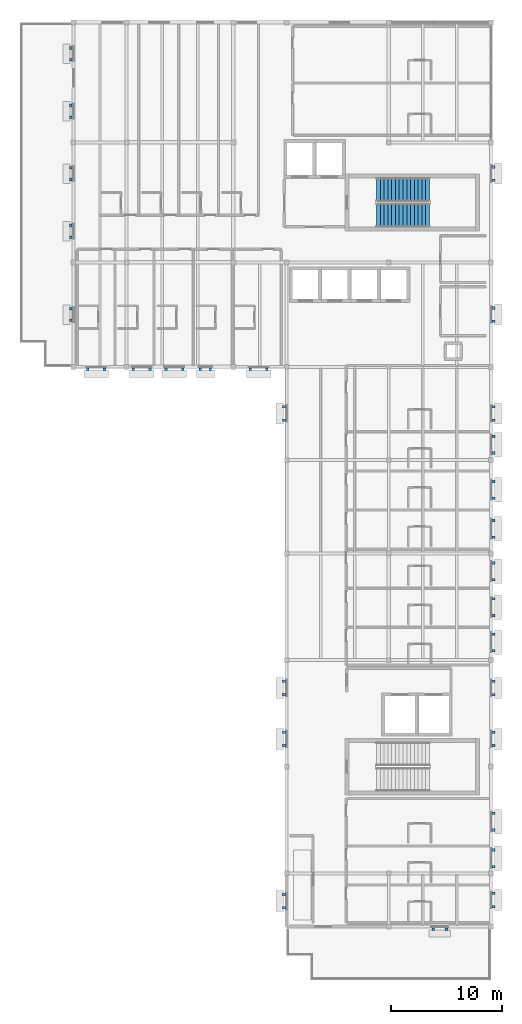
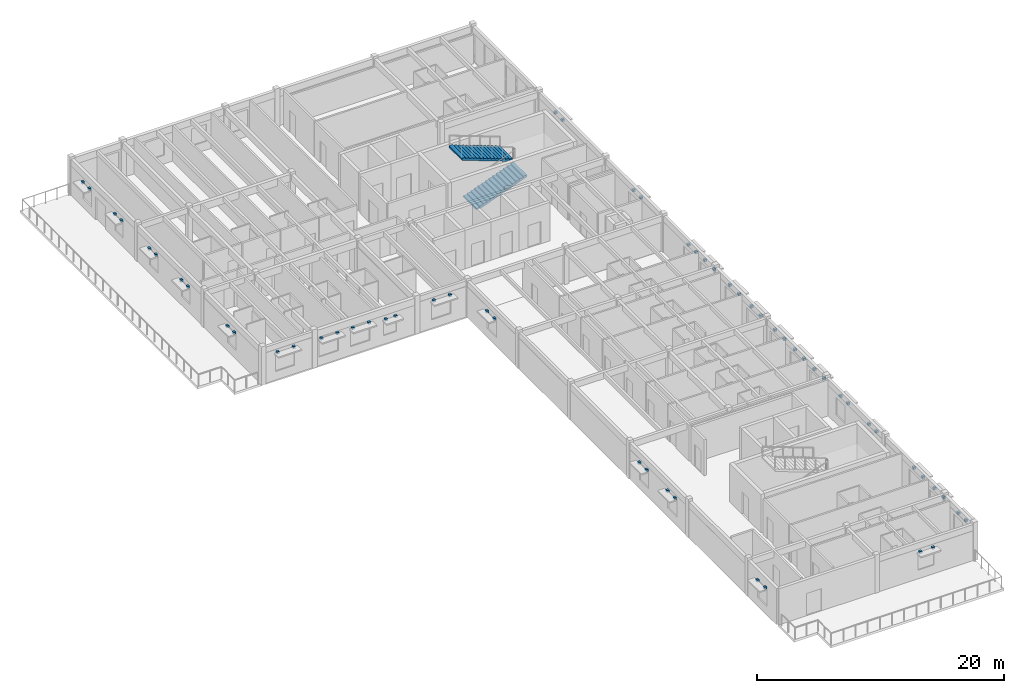
# One storey, part 11 of 15: 58 discrete accessories, 2 stair flights, 1 element without a shape of its own.
"""IFC4 building model written with IfcOpenShell, lengths in metres."""

from ifc_helpers import new_model, si_unit, direction, frame, origin, origin_2d, place, context, subcontext, project, spatial, polyline, rectangle, outline, extrude, material, type_object, element, aggregate, save


model = new_model("IFC4")

# Units and contexts
model_context = context("Model", 3, precision=1e-05, world=origin(), true_north=direction((0.0, 1.0)))
body_context = subcontext(model_context, "Body", "Model", "MODEL_VIEW")
ifc_project = project(units=[si_unit("LENGTHUNIT", "METRE"), si_unit("AREAUNIT", "SQUARE_METRE"), si_unit("VOLUMEUNIT", "CUBIC_METRE"), si_unit("PLANEANGLEUNIT", "RADIAN"), si_unit("MASSUNIT", "GRAM", prefix="KILO")], contexts=[model_context])

# Site, building, storey
site_placement = place(None, origin())
site = spatial("IfcSite", under=ifc_project, at=site_placement, CompositionType="ELEMENT")
building_placement = place(site_placement, origin())
building = spatial("IfcBuilding", under=site, at=building_placement, Name="Veldera Park Congress Hotel", CompositionType="ELEMENT")
storey_placement = place(building_placement, frame((0.0, 0.0, 39.0)))
storey = spatial("IfcBuildingStorey", under=building, at=storey_placement, Name="L09", CompositionType="ELEMENT", Elevation=39.0)

# Stair, stair flights
ifc_material_1 = material(Name="Concrete f'c 40 MPa (5,800 psi)", Category="concrete")
stair_type = type_object("IfcStairType", Name="ST1", PredefinedType="HALF_TURN_STAIR", material=ifc_material_1)
stair_placement = place(storey_placement, origin())
stair = element("IfcStair", 1, at=stair_placement, inside=storey, type_object=stair_type, Name="L09 Protected Exit Stair ST1", PredefinedType="HALF_TURN_STAIR")
stair_flight_type = type_object("IfcStairFlightType", Name="SFL-ST1", PredefinedType="STRAIGHT", material=ifc_material_1)
stair_flight_1_placement = place(storey_placement, frame((73.699951171875, 40.64990234375, 0.0), z_axis=(0.0, 0.0, 1.0), x_axis=(1.0, 0.0, 0.0)))
stair_flight_1 = element("IfcStairFlight", 2, at=stair_flight_1_placement, type_object=stair_flight_type, Name="ST1 flight 1", NumberOfRisers=15, NumberOfTreads=14, PredefinedType="STRAIGHT", RiserHeight=0.126666667, TreadLength=0.34, context=body_context, shape_type="SweptSolid", body=[
    extrude(outline(polyline([(0.0, 0.0), (0.0, 0.126708984375), (0.340087890625, 0.126708984375), (0.340087890625, 0.25341796875), (0.679931640625, 0.25341796875), (0.679931640625, 0.3798828125), (1.02001953125, 0.3798828125), (1.02001953125, 0.506591796875), (1.360107421875, 0.506591796875), (1.360107421875, 0.63330078125), (1.699951171875, 0.63330078125), (1.699951171875, 0.760009765625), (2.0400390625, 0.760009765625), (2.0400390625, 0.88671875), (2.3798828125, 0.88671875), (2.3798828125, 1.013427734375), (2.719970703125, 1.013427734375), (2.719970703125, 1.139892578125), (3.06005859375, 1.139892578125), (3.06005859375, 1.2666015625), (3.39990234375, 1.2666015625), (3.39990234375, 1.393310546875), (3.739990234375, 1.393310546875), (3.739990234375, 1.52001953125), (4.080078125, 1.52001953125), (4.080078125, 1.646728515625), (4.419921875, 1.646728515625), (4.419921875, 1.7734375), (4.760009765625, 1.7734375), (4.760009765625, 1.89990234375), (4.760009765625, 1.89990234375), (4.760009765625, 1.581298828125), (0.515380859375, 0.0), (0.0, 0.0)])), frame((0.0, 1.050048828125, 0.0), z_axis=(0.0, -1.0, 0.0), x_axis=(1.0, 0.0, 0.0)), (0.0, 0.0, 1.0), 2.10009765625),
])
stair_flight_2_placement = place(storey_placement, frame((78.4599609375, 42.949951171875, 1.89990234375), z_axis=(0.0, 0.0, 1.0), x_axis=(-1.0, 0.0, 0.0)))
stair_flight_2 = element("IfcStairFlight", 3, at=stair_flight_2_placement, type_object=stair_flight_type, Name="ST1 flight 2", NumberOfRisers=15, NumberOfTreads=14, PredefinedType="STRAIGHT", RiserHeight=0.126666667, TreadLength=0.34, context=body_context, shape_type="SweptSolid", body=[
    extrude(outline(polyline([(0.0, 0.0), (0.0, 0.126708984375), (0.340087890625, 0.126708984375), (0.340087890625, 0.25341796875), (0.679931640625, 0.25341796875), (0.679931640625, 0.3798828125), (1.02001953125, 0.3798828125), (1.02001953125, 0.506591796875), (1.360107421875, 0.506591796875), (1.360107421875, 0.63330078125), (1.699951171875, 0.63330078125), (1.699951171875, 0.760009765625), (2.0400390625, 0.760009765625), (2.0400390625, 0.88671875), (2.3798828125, 0.88671875), (2.3798828125, 1.013427734375), (2.719970703125, 1.013427734375), (2.719970703125, 1.139892578125), (3.06005859375, 1.139892578125), (3.06005859375, 1.2666015625), (3.39990234375, 1.2666015625), (3.39990234375, 1.393310546875), (3.739990234375, 1.393310546875), (3.739990234375, 1.52001953125), (4.080078125, 1.52001953125), (4.080078125, 1.646728515625), (4.419921875, 1.646728515625), (4.419921875, 1.7734375), (4.760009765625, 1.7734375), (4.760009765625, 1.89990234375), (4.760009765625, 1.89990234375), (4.760009765625, 1.581298828125), (0.515380859375, 0.0), (0.0, 0.0)])), frame((0.0, 1.050048828125, 0.0), z_axis=(0.0, -1.0, 0.0), x_axis=(1.0, 0.0, 0.0)), (0.0, 0.0, 1.0), 2.10009765625),
])
aggregate(stair, [stair_flight_1, stair_flight_2])

# Discrete accessories
ifc_material_2 = material(Name="Steel ASTM A992 Gr.50", Category="steel")
discrete_accessory_type = type_object("IfcDiscreteAccessoryType", Name="ACC-BRK160", PredefinedType="BRACKET", material=ifc_material_2)
for number, where, z_axis, x_axis, name in (
    (4, (78.79248046875, -23.6298828125, 2.56982421875), (0.0, 0.0, 1.0), (1.0, 0.0, 0.0), "Shading Steel Outrigger Bracket 231L"),
    (5, (79.992431640625, -23.6298828125, 2.56982421875), (0.0, 0.0, 1.0), (1.0, 0.0, 0.0), "Shading Steel Outrigger Bracket 231R"),
    (6, (84.22998046875, -21.60009765625, 2.56982421875), (0.0, 0.0, 1.0), (0.0, 1.0, 0.0), "Shading Steel Outrigger Bracket 232L"),
    (7, (84.22998046875, -20.39990234375, 2.56982421875), (0.0, 0.0, 1.0), (0.0, 1.0, 0.0), "Shading Steel Outrigger Bracket 232R"),
    (8, (84.22998046875, -7.08837890625, 2.56982421875), (0.0, 0.0, 1.0), (0.0, 1.0, 0.0), "Shading Steel Outrigger Bracket 233L"),
    (9, (84.22998046875, -5.888427734375, 2.56982421875), (0.0, 0.0, 1.0), (0.0, 1.0, 0.0), "Shading Steel Outrigger Bracket 233R"),
    (10, (84.22998046875, -2.511474609375, 2.56982421875), (0.0, 0.0, 1.0), (0.0, 1.0, 0.0), "Shading Steel Outrigger Bracket 234L"),
    (11, (84.22998046875, -1.3115234375, 2.56982421875), (0.0, 0.0, 1.0), (0.0, 1.0, 0.0), "Shading Steel Outrigger Bracket 234R"),
    (12, (84.22998046875, 22.199951171875, 2.56982421875), (0.0, 0.0, 1.0), (0.0, 1.0, 0.0), "Shading Steel Outrigger Bracket 235L"),
    (13, (84.22998046875, 23.39990234375, 2.56982421875), (0.0, 0.0, 1.0), (0.0, 1.0, 0.0), "Shading Steel Outrigger Bracket 235R"),
    (14, (84.22998046875, 31.10009765625, 2.56982421875), (0.0, 0.0, 1.0), (0.0, 1.0, 0.0), "Shading Steel Outrigger Bracket 236L"),
    (15, (84.22998046875, 32.300048828125, 2.56982421875), (0.0, 0.0, 1.0), (0.0, 1.0, 0.0), "Shading Steel Outrigger Bracket 236R"),
    (16, (84.22998046875, 43.78857421875, 2.56982421875), (0.0, 0.0, 1.0), (0.0, 1.0, 0.0), "Shading Steel Outrigger Bracket 237L"),
    (17, (84.22998046875, 44.988525390625, 2.56982421875), (0.0, 0.0, 1.0), (0.0, 1.0, 0.0), "Shading Steel Outrigger Bracket 237R"),
    (18, (46.169921875, 55.709716796875, 2.47021484375), (0.0, 0.0, 1.0), (0.0, -1.0, 0.0), "Shading Steel Outrigger Bracket 238L"),
    (19, (46.169921875, 54.659912109375, 2.47021484375), (0.0, 0.0, 1.0), (0.0, -1.0, 0.0), "Shading Steel Outrigger Bracket 238R"),
    (20, (46.169921875, 50.525146484375, 2.47021484375), (0.0, 0.0, 1.0), (0.0, -1.0, 0.0), "Shading Steel Outrigger Bracket 239L"),
    (21, (46.169921875, 49.47509765625, 2.47021484375), (0.0, 0.0, 1.0), (0.0, -1.0, 0.0), "Shading Steel Outrigger Bracket 239R"),
    (22, (46.169921875, 44.9208984375, 2.47021484375), (0.0, 0.0, 1.0), (0.0, -1.0, 0.0), "Shading Steel Outrigger Bracket 240L"),
    (23, (46.169921875, 43.87109375, 2.47021484375), (0.0, 0.0, 1.0), (0.0, -1.0, 0.0), "Shading Steel Outrigger Bracket 240R"),
    (24, (46.169921875, 39.72900390625, 2.47021484375), (0.0, 0.0, 1.0), (0.0, -1.0, 0.0), "Shading Steel Outrigger Bracket 241L"),
    (25, (46.169921875, 38.678955078125, 2.47021484375), (0.0, 0.0, 1.0), (0.0, -1.0, 0.0), "Shading Steel Outrigger Bracket 241R"),
    (26, (46.169921875, 32.232421875, 2.47021484375), (0.0, 0.0, 1.0), (0.0, -1.0, 0.0), "Shading Steel Outrigger Bracket 242L"),
    (27, (46.169921875, 31.1826171875, 2.47021484375), (0.0, 0.0, 1.0), (0.0, -1.0, 0.0), "Shading Steel Outrigger Bracket 242R"),
    (28, (57.83837890625, 26.77001953125, 2.3701171875), (0.0, 0.0, 1.0), (1.0, 0.0, 0.0), "Shading Steel Outrigger Bracket 243L"),
    (29, (58.738525390625, 26.77001953125, 2.3701171875), (0.0, 0.0, 1.0), (1.0, 0.0, 0.0), "Shading Steel Outrigger Bracket 243R"),
    (30, (65.3701171875, 23.39990234375, 2.56982421875), (0.0, 0.0, 1.0), (0.0, -1.0, 0.0), "Shading Steel Outrigger Bracket 244L"),
    (31, (65.3701171875, 22.199951171875, 2.56982421875), (0.0, 0.0, 1.0), (0.0, -1.0, 0.0), "Shading Steel Outrigger Bracket 244R"),
    (32, (65.3701171875, -1.303955078125, 2.56982421875), (0.0, 0.0, 1.0), (0.0, -1.0, 0.0), "Shading Steel Outrigger Bracket 245L"),
    (33, (65.3701171875, -2.50390625, 2.56982421875), (0.0, 0.0, 1.0), (0.0, -1.0, 0.0), "Shading Steel Outrigger Bracket 245R"),
    (34, (65.3701171875, -5.89599609375, 2.56982421875), (0.0, 0.0, 1.0), (0.0, -1.0, 0.0), "Shading Steel Outrigger Bracket 246L"),
    (35, (65.3701171875, -7.095947265625, 2.56982421875), (0.0, 0.0, 1.0), (0.0, -1.0, 0.0), "Shading Steel Outrigger Bracket 246R"),
    (36, (65.3701171875, -20.50390625, 2.56982421875), (0.0, 0.0, 1.0), (0.0, -1.0, 0.0), "Shading Steel Outrigger Bracket 247L"),
    (37, (65.3701171875, -21.7041015625, 2.56982421875), (0.0, 0.0, 1.0), (0.0, -1.0, 0.0), "Shading Steel Outrigger Bracket 247R"),
    (38, (84.22998046875, -18.00341796875, 2.669921875), (0.0, 0.0, 1.0), (0.0, 1.0, 0.0), "Shading Steel Outrigger Bracket 476L"),
    (39, (84.22998046875, -16.50341796875, 2.669921875), (0.0, 0.0, 1.0), (0.0, 1.0, 0.0), "Shading Steel Outrigger Bracket 476R"),
    (40, (84.22998046875, -14.68994140625, 2.669921875), (0.0, 0.0, 1.0), (0.0, 1.0, 0.0), "Shading Steel Outrigger Bracket 477L"),
    (41, (84.22998046875, -13.18994140625, 2.669921875), (0.0, 0.0, 1.0), (0.0, 1.0, 0.0), "Shading Steel Outrigger Bracket 477R"),
    (42, (84.22998046875, 1.4365234375, 2.669921875), (0.0, 0.0, 1.0), (0.0, 1.0, 0.0), "Shading Steel Outrigger Bracket 478L"),
    (43, (84.22998046875, 2.9365234375, 2.669921875), (0.0, 0.0, 1.0), (0.0, 1.0, 0.0), "Shading Steel Outrigger Bracket 478R"),
    (44, (84.22998046875, 4.6201171875, 2.669921875), (0.0, 0.0, 1.0), (0.0, 1.0, 0.0), "Shading Steel Outrigger Bracket 479L"),
    (45, (84.22998046875, 6.1201171875, 2.669921875), (0.0, 0.0, 1.0), (0.0, 1.0, 0.0), "Shading Steel Outrigger Bracket 479R"),
    (46, (84.22998046875, 7.83349609375, 2.669921875), (0.0, 0.0, 1.0), (0.0, 1.0, 0.0), "Shading Steel Outrigger Bracket 480L"),
    (47, (84.22998046875, 9.33349609375, 2.669921875), (0.0, 0.0, 1.0), (0.0, 1.0, 0.0), "Shading Steel Outrigger Bracket 480R"),
    (48, (84.22998046875, 11.659912109375, 2.669921875), (0.0, 0.0, 1.0), (0.0, 1.0, 0.0), "Shading Steel Outrigger Bracket 481L"),
    (49, (84.22998046875, 13.159912109375, 2.669921875), (0.0, 0.0, 1.0), (0.0, 1.0, 0.0), "Shading Steel Outrigger Bracket 481R"),
    (50, (84.22998046875, 15.179931640625, 2.669921875), (0.0, 0.0, 1.0), (0.0, 1.0, 0.0), "Shading Steel Outrigger Bracket 482L"),
    (51, (84.22998046875, 16.679931640625, 2.669921875), (0.0, 0.0, 1.0), (0.0, 1.0, 0.0), "Shading Steel Outrigger Bracket 482R"),
    (52, (84.22998046875, 19.236572265625, 2.669921875), (0.0, 0.0, 1.0), (0.0, 1.0, 0.0), "Shading Steel Outrigger Bracket 483L"),
    (53, (84.22998046875, 20.736572265625, 2.669921875), (0.0, 0.0, 1.0), (0.0, 1.0, 0.0), "Shading Steel Outrigger Bracket 483R"),
    (54, (47.699951171875, 26.77001953125, 2.669921875), (0.0, 0.0, 1.0), (1.0, 0.0, 0.0), "Shading Steel Outrigger Bracket 484L"),
    (55, (49.199951171875, 26.77001953125, 2.669921875), (0.0, 0.0, 1.0), (1.0, 0.0, 0.0), "Shading Steel Outrigger Bracket 484R"),
    (56, (51.79638671875, 26.77001953125, 2.60986328125), (0.0, 0.0, 1.0), (1.0, 0.0, 0.0), "Shading Steel Outrigger Bracket 485L"),
    (57, (53.29638671875, 26.77001953125, 2.60986328125), (0.0, 0.0, 1.0), (1.0, 0.0, 0.0), "Shading Steel Outrigger Bracket 485R"),
    (58, (54.739990234375, 26.77001953125, 2.60986328125), (0.0, 0.0, 1.0), (1.0, 0.0, 0.0), "Shading Steel Outrigger Bracket 486L"),
    (59, (56.239990234375, 26.77001953125, 2.60986328125), (0.0, 0.0, 1.0), (1.0, 0.0, 0.0), "Shading Steel Outrigger Bracket 486R"),
    (60, (62.326416015625, 26.77001953125, 2.669921875), (0.0, 0.0, 1.0), (1.0, 0.0, 0.0), "Shading Steel Outrigger Bracket 487L"),
    (61, (63.826416015625, 26.77001953125, 2.669921875), (0.0, 0.0, 1.0), (1.0, 0.0, 0.0), "Shading Steel Outrigger Bracket 487R"),
):
    element("IfcDiscreteAccessory", number, at=place(storey_placement, frame(where, z_axis=z_axis, x_axis=x_axis)), inside=storey, type_object=discrete_accessory_type, Name=name, PredefinedType="BRACKET", context=body_context, shape_type="SweptSolid", body=[
        extrude(rectangle(XDim=0.239990234375, YDim=0.239990234375, at=origin_2d()), origin(), (0.0, 0.0, 1.0), 0.219970703125),
    ])

save(model, "model.ifc")
